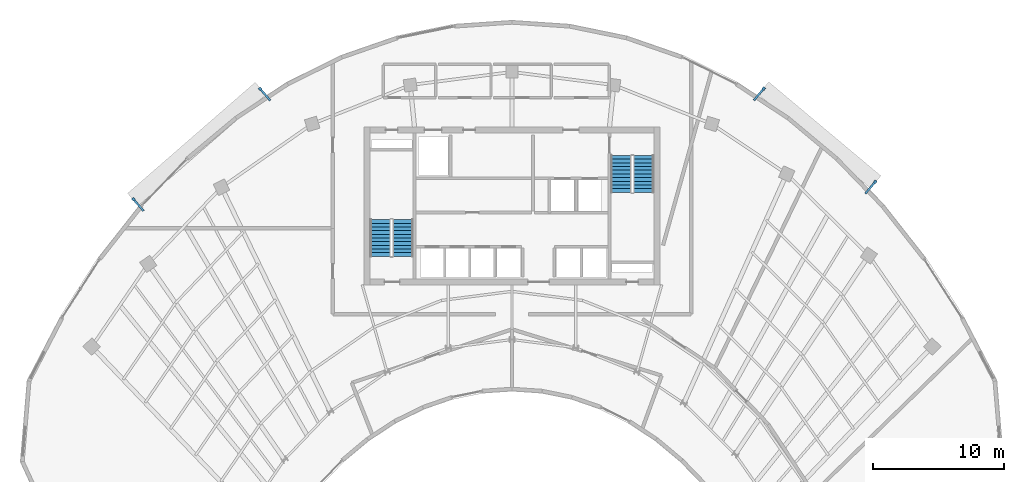
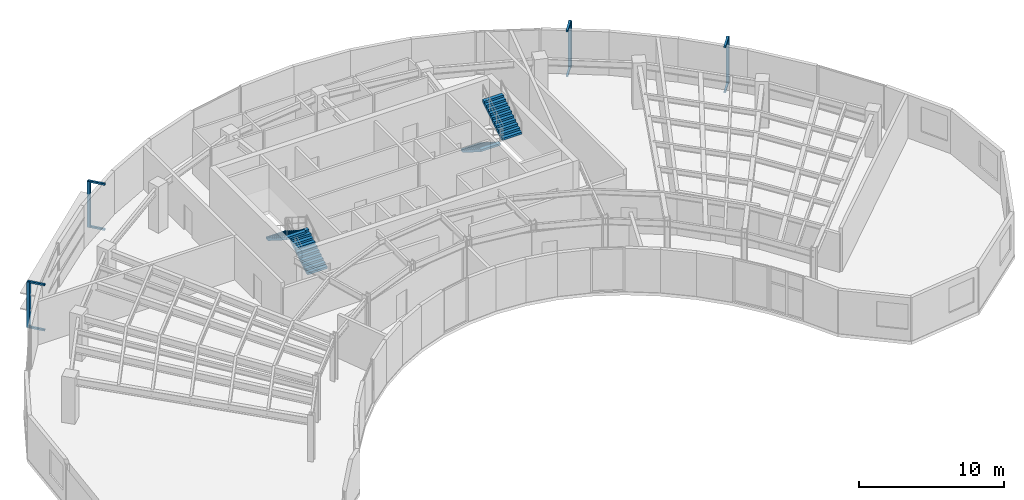
# One storey, part 11 of 13: 12 discrete accessories, 4 stair flights, 2 elements without a shape of their own.
"""IFC4 building model written with IfcOpenShell, lengths in metres."""

from ifc_helpers import new_model, si_unit, direction, frame, origin, origin_2d, place, context, subcontext, project, spatial, polyline, rectangle, outline, extrude, source, transform, mapped, material, type_object, type_shapes, element, aggregate, save


model = new_model("IFC4")

# Units and contexts
model_context = context("Model", 3, precision=1e-05, world=origin(), true_north=direction((0.0, 1.0)))
body_context = subcontext(model_context, "Body", "Model", "MODEL_VIEW")
ifc_project = project(units=[si_unit("LENGTHUNIT", "METRE"), si_unit("AREAUNIT", "SQUARE_METRE"), si_unit("VOLUMEUNIT", "CUBIC_METRE"), si_unit("PLANEANGLEUNIT", "RADIAN"), si_unit("MASSUNIT", "GRAM", prefix="KILO")], contexts=[model_context])

# Site, building, storey
site_placement = place(None, origin())
site = spatial("IfcSite", under=ifc_project, at=site_placement, CompositionType="ELEMENT")
building_placement = place(site_placement, origin())
building = spatial("IfcBuilding", under=site, at=building_placement, Name="Breltana Convention Tower", CompositionType="ELEMENT")
storey_placement = place(building_placement, frame((0.0, 0.0, 227.39990234375)))
storey = spatial("IfcBuildingStorey", under=building, at=storey_placement, Name="L55", CompositionType="ELEMENT", Elevation=227.39990234375)

# Stair, stair flights
ifc_material_1 = material(Name="Concrete C40/50", Category="concrete")
stair_type = type_object("IfcStairType", Name="ST-DOG-1560-R177", PredefinedType="HALF_TURN_STAIR", material=ifc_material_1)
stair_1_placement = place(storey_placement, origin())
stair_1 = element("IfcStair", 1, at=stair_1_placement, inside=storey, type_object=stair_type, Name="L55 Protected Core Exit Stair ST-1", PredefinedType="HALF_TURN_STAIR")
stair_flight_type = type_object("IfcStairFlightType", Name="STF-DOG-1560-N11-R177", PredefinedType="STRAIGHT", material=ifc_material_1)
stair_flight_1_placement = place(storey_placement, frame((39.68994140625, 62.360107421875, 0.0), z_axis=(0.0, 0.0, 1.0), x_axis=(0.0, 1.0, 0.0)))
stair_flight_1 = element("IfcStairFlight", 2, at=stair_flight_1_placement, type_object=stair_flight_type, Name="ST-1 flight 1", NumberOfRisers=11, NumberOfTreads=10, PredefinedType="STRAIGHT", RiserHeight=0.177272727, TreadLength=0.28, context=body_context, shape_type="SweptSolid", body=[
    extrude(outline(polyline([(0.0, 0.0), (0.0, 0.17724609375), (0.280029296875, 0.17724609375), (0.280029296875, 0.3544921875), (0.56005859375, 0.3544921875), (0.56005859375, 0.53173828125), (0.840087890625, 0.53173828125), (0.840087890625, 0.708984375), (1.1201171875, 0.708984375), (1.1201171875, 0.886474609375), (1.39990234375, 0.886474609375), (1.39990234375, 1.063720703125), (1.679931640625, 1.063720703125), (1.679931640625, 1.240966796875), (1.9599609375, 1.240966796875), (1.9599609375, 1.418212890625), (2.239990234375, 1.418212890625), (2.239990234375, 1.595458984375), (2.52001953125, 1.595458984375), (2.52001953125, 1.772705078125), (2.800048828125, 1.772705078125), (2.800048828125, 1.949951171875), (2.800048828125, 1.59521484375), (0.2802734375, 0.0), (0.0, 0.0)])), frame((0.0, 0.780029296875, 0.0), z_axis=(0.0, -1.0, 0.0), x_axis=(1.0, 0.0, 0.0)), (0.0, 0.0, 1.0), 1.56005859375),
])
stair_flight_2_placement = place(storey_placement, frame((37.97998046875, 65.159912109375, 1.9501953125), z_axis=(0.0, 0.0, 1.0), x_axis=(0.0, -1.0, 0.0)))
stair_flight_2 = element("IfcStairFlight", 3, at=stair_flight_2_placement, type_object=stair_flight_type, Name="ST-1 flight 2", NumberOfRisers=11, NumberOfTreads=10, PredefinedType="STRAIGHT", RiserHeight=0.177272727, TreadLength=0.28, context=body_context, shape_type="SweptSolid", body=[
    extrude(outline(polyline([(0.0, 0.0), (0.0, 0.17724609375), (0.280029296875, 0.17724609375), (0.280029296875, 0.3544921875), (0.56005859375, 0.3544921875), (0.56005859375, 0.53173828125), (0.840087890625, 0.53173828125), (0.840087890625, 0.708984375), (1.1201171875, 0.708984375), (1.1201171875, 0.886474609375), (1.39990234375, 0.886474609375), (1.39990234375, 1.063720703125), (1.679931640625, 1.063720703125), (1.679931640625, 1.240966796875), (1.9599609375, 1.240966796875), (1.9599609375, 1.418212890625), (2.239990234375, 1.418212890625), (2.239990234375, 1.595458984375), (2.52001953125, 1.595458984375), (2.52001953125, 1.772705078125), (2.800048828125, 1.772705078125), (2.800048828125, 1.949951171875), (2.800048828125, 1.59521484375), (0.2802734375, 0.0), (0.0, 0.0)])), frame((0.0, 0.780029296875, 0.0), z_axis=(0.0, -1.0, 0.0), x_axis=(1.0, 0.0, 0.0)), (0.0, 0.0, 1.0), 1.56005859375),
])
aggregate(stair_1, [stair_flight_1, stair_flight_2])

stair_2_placement = place(storey_placement, origin())
stair_2 = element("IfcStair", 4, at=stair_2_placement, inside=storey, type_object=stair_type, Name="L55 Protected Core Exit Stair ST-2", PredefinedType="HALF_TURN_STAIR")
stair_flight_3_placement = place(storey_placement, frame((56.31005859375, 70.0400390625, 0.0), z_axis=(0.0, 0.0, 1.0), x_axis=(0.0, -1.0, 0.0)))
stair_flight_3 = element("IfcStairFlight", 5, at=stair_flight_3_placement, type_object=stair_flight_type, Name="ST-2 flight 1", NumberOfRisers=11, NumberOfTreads=10, PredefinedType="STRAIGHT", RiserHeight=0.177272727, TreadLength=0.28, context=body_context, shape_type="SweptSolid", body=[
    extrude(outline(polyline([(0.0, 0.0), (0.0, 0.17724609375), (0.280029296875, 0.17724609375), (0.280029296875, 0.3544921875), (0.56005859375, 0.3544921875), (0.56005859375, 0.53173828125), (0.840087890625, 0.53173828125), (0.840087890625, 0.708984375), (1.1201171875, 0.708984375), (1.1201171875, 0.886474609375), (1.39990234375, 0.886474609375), (1.39990234375, 1.063720703125), (1.679931640625, 1.063720703125), (1.679931640625, 1.240966796875), (1.9599609375, 1.240966796875), (1.9599609375, 1.418212890625), (2.239990234375, 1.418212890625), (2.239990234375, 1.595458984375), (2.52001953125, 1.595458984375), (2.52001953125, 1.772705078125), (2.800048828125, 1.772705078125), (2.800048828125, 1.949951171875), (2.800048828125, 1.59521484375), (0.2802734375, 0.0), (0.0, 0.0)])), frame((0.0, 0.780029296875, 0.0), z_axis=(0.0, -1.0, 0.0), x_axis=(1.0, 0.0, 0.0)), (0.0, 0.0, 1.0), 1.56005859375),
])
stair_flight_4_placement = place(storey_placement, frame((58.02001953125, 67.239990234375, 1.9501953125), z_axis=(0.0, 0.0, 1.0), x_axis=(0.0, 1.0, 0.0)))
stair_flight_4 = element("IfcStairFlight", 6, at=stair_flight_4_placement, type_object=stair_flight_type, Name="ST-2 flight 2", NumberOfRisers=11, NumberOfTreads=10, PredefinedType="STRAIGHT", RiserHeight=0.177272727, TreadLength=0.28, context=body_context, shape_type="SweptSolid", body=[
    extrude(outline(polyline([(0.0, 0.0), (0.0, 0.17724609375), (0.280029296875, 0.17724609375), (0.280029296875, 0.3544921875), (0.56005859375, 0.3544921875), (0.56005859375, 0.53173828125), (0.840087890625, 0.53173828125), (0.840087890625, 0.708984375), (1.1201171875, 0.708984375), (1.1201171875, 0.886474609375), (1.39990234375, 0.886474609375), (1.39990234375, 1.063720703125), (1.679931640625, 1.063720703125), (1.679931640625, 1.240966796875), (1.9599609375, 1.240966796875), (1.9599609375, 1.418212890625), (2.239990234375, 1.418212890625), (2.239990234375, 1.595458984375), (2.52001953125, 1.595458984375), (2.52001953125, 1.772705078125), (2.800048828125, 1.772705078125), (2.800048828125, 1.949951171875), (2.800048828125, 1.59521484375), (0.2802734375, 0.0), (0.0, 0.0)])), frame((0.0, 0.780029296875, 0.0), z_axis=(0.0, -1.0, 0.0), x_axis=(1.0, 0.0, 0.0)), (0.0, 0.0, 1.0), 1.56005859375),
])
aggregate(stair_2, [stair_flight_3, stair_flight_4])

# Discrete accessories
ifc_material_2 = material(Name="Steel S355", Category="steel")
discrete_accessory_type_1 = type_object("IfcDiscreteAccessoryType", Name="ACC-DSF-BRACKET-150", PredefinedType="BRACKET", material=ifc_material_2)
shared_shape_1 = source(origin(), body_context, "Body", "SweptSolid", [
    extrude(rectangle(XDim=1.239990234375, YDim=0.14990234375, at=origin_2d()), origin(), (0.0, 0.0, 1.0), 0.139892578125),
])
type_shapes(discrete_accessory_type_1, [shared_shape_1])
for number, where, z_axis, x_axis, name in (
    (7, (19.545166015625, 66.295166015625, -0.15966796875), (0.0, 0.0, 1.0), (-0.65645174674, 0.754368016423, 0.0), "L55 double-skin slab stand-off bracket 1.1B"),
    (8, (19.545166015625, 66.295166015625, 3.650390625), (0.0, 0.0, 1.0), (-0.65645174674, 0.754368016423, 0.0), "L55 double-skin slab stand-off bracket 1.1T"),
    (9, (29.1953125, 74.69287109375, -0.15966796875), (0.0, 0.0, 1.0), (-0.65645174674, 0.754368016423, 0.0), "L55 double-skin slab stand-off bracket 1.2B"),
    (10, (29.1953125, 74.69287109375, 3.650390625), (0.0, 0.0, 1.0), (-0.65645174674, 0.754368016423, 0.0), "L55 double-skin slab stand-off bracket 1.2T"),
    (11, (66.8125, 74.715087890625, -0.15966796875), (0.0, 0.0, 1.0), (0.641983760468, 0.766718234618, 0.0), "L55 double-skin slab stand-off bracket 2.1B"),
    (12, (66.8125, 74.715087890625, 3.650390625), (0.0, 0.0, 1.0), (0.641983760468, 0.766718234618, 0.0), "L55 double-skin slab stand-off bracket 2.1T"),
    (13, (75.29150390625, 67.615478515625, -0.15966796875), (0.0, 0.0, 1.0), (0.641983760468, 0.766718234618, 0.0), "L55 double-skin slab stand-off bracket 2.2B"),
    (14, (75.29150390625, 67.615478515625, 3.650390625), (0.0, 0.0, 1.0), (0.641983760468, 0.766718234618, 0.0), "L55 double-skin slab stand-off bracket 2.2T"),
):
    element("IfcDiscreteAccessory", number, at=place(storey_placement, frame(where, z_axis=z_axis, x_axis=x_axis)), inside=storey, type_object=discrete_accessory_type_1, Name=name, PredefinedType="BRACKET", context=body_context, shape_type="MappedRepresentation", body=[
        mapped(shared_shape_1, transform((0.0, 0.0, 0.0), scale=1.0)),
    ])
discrete_accessory_type_2 = type_object("IfcDiscreteAccessoryType", Name="ACC-DSF-CARRIER-150", PredefinedType="BRACKET", material=ifc_material_2)
shared_shape_2 = source(origin(), body_context, "Body", "SweptSolid", [
    extrude(rectangle(XDim=0.219970703125, YDim=0.219970703125, at=origin_2d()), origin(), (0.0, 0.0, 1.0), 3.8701171875),
])
for number, where, z_axis, x_axis, name in (
    (15, (19.177490234375, 66.7177734375, -0.119873046875), (0.0, 0.0, 1.0), (-0.65645174674, 0.754368016423, 0.0), "L55 double-skin outer vertical carrier 1.1"),
    (16, (28.82763671875, 75.115478515625, -0.119873046875), (0.0, 0.0, 1.0), (-0.65645174674, 0.754368016423, 0.0), "L55 double-skin outer vertical carrier 1.2"),
    (17, (67.172119140625, 75.144287109375, -0.119873046875), (0.0, 0.0, 1.0), (0.641983760468, 0.766718234618, 0.0), "L55 double-skin outer vertical carrier 2.1"),
    (18, (75.65087890625, 68.044921875, -0.119873046875), (0.0, 0.0, 1.0), (0.641983760468, 0.766718234618, 0.0), "L55 double-skin outer vertical carrier 2.2"),
):
    element("IfcDiscreteAccessory", number, at=place(storey_placement, frame(where, z_axis=z_axis, x_axis=x_axis)), inside=storey, type_object=discrete_accessory_type_2, Name=name, PredefinedType="BRACKET", context=body_context, shape_type="MappedRepresentation", body=[
        mapped(shared_shape_2, transform((0.0, 0.0, 0.0), scale=1.0)),
    ])

save(model, "model.ifc")
